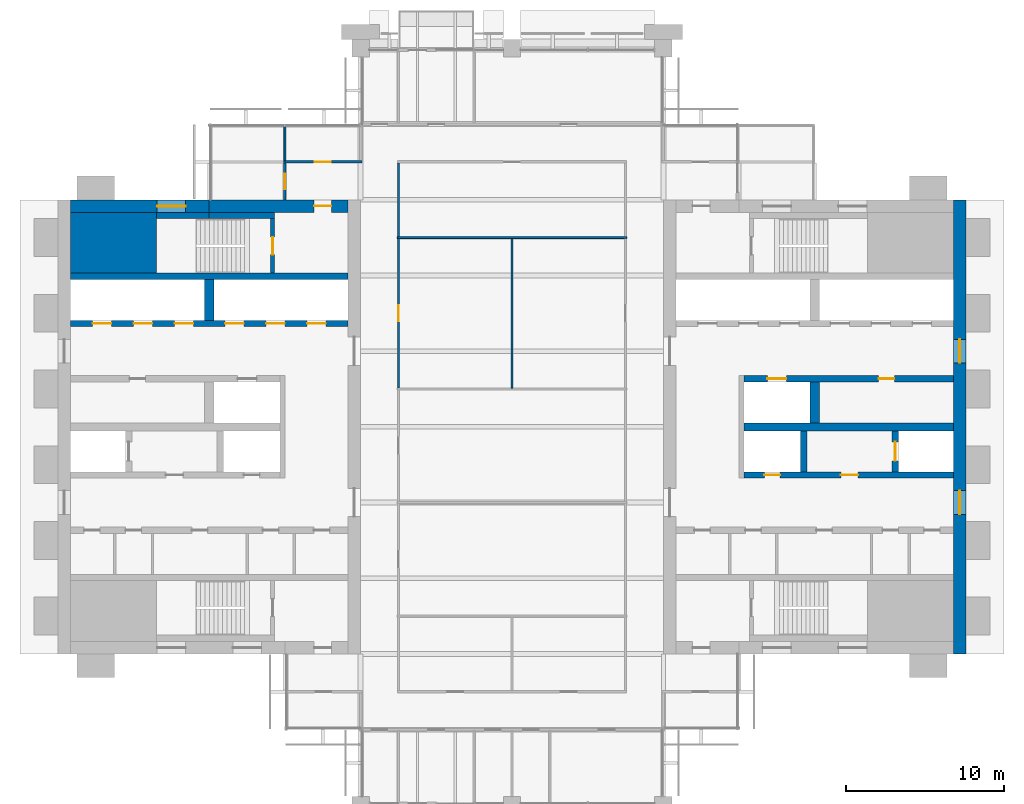
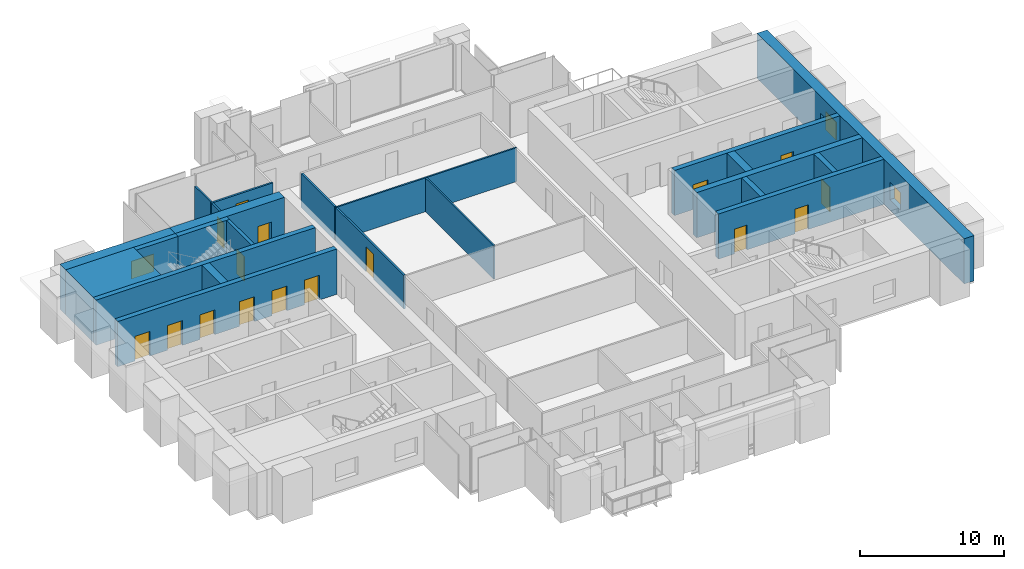
# One storey, part 10 of 14: 23 walls, 16 doors, 3 windows, 19 openings.
"""IFC4 building model written with IfcOpenShell, lengths in metres."""

from ifc_helpers import new_model, si_unit, direction, frame, frame_2d, origin, place, context, subcontext, project, spatial, rectangle, extrude, material, layer, layer_set, type_object, element, fill, save


model = new_model("IFC4")

# Units and contexts
model_context = context("Model", 3, precision=1e-05, world=origin(), true_north=direction((0.0, 1.0)))
body_context = subcontext(model_context, "Body", "Model", "MODEL_VIEW")
ifc_project = project(units=[si_unit("LENGTHUNIT", "METRE"), si_unit("AREAUNIT", "SQUARE_METRE"), si_unit("VOLUMEUNIT", "CUBIC_METRE"), si_unit("PLANEANGLEUNIT", "RADIAN"), si_unit("MASSUNIT", "GRAM", prefix="KILO")], contexts=[model_context])

# Site, building, storey
site_placement = place(None, origin())
site = spatial("IfcSite", under=ifc_project, at=site_placement, CompositionType="ELEMENT")
building_placement = place(site_placement, origin())
building = spatial("IfcBuilding", under=site, at=building_placement, Name="Baori Bourse Tower", CompositionType="ELEMENT")
storey_placement = place(building_placement, frame((0.0, 0.0, 257.199951171875)))
storey = spatial("IfcBuildingStorey", under=building, at=storey_placement, Name="L57", CompositionType="ELEMENT", Elevation=257.199951171875)

# Wall
ifc_material_1 = material(Name="Concrete f'c 50 MPa", Category="concrete")
wall_type_1 = type_object("IfcWallType", Name="Core corner block f'c 50", PredefinedType="SHEAR", material=ifc_material_1)
wall_1_placement = place(storey_placement, frame((0.800048828125, 35.675048828125, 0.0), z_axis=(0.0, 0.0, 1.0), x_axis=(1.0, 0.0, 0.0)))
element("IfcWall", 1, at=wall_1_placement, inside=storey, type_object=wall_type_1, Name="Core wall W24", PredefinedType="SHEAR", context=body_context, shape_type="SweptSolid", body=[
    extrude(rectangle(XDim=5.449951171875, YDim=3.85009765625, at=frame_2d((2.72509765625, 0.0))), origin(), (0.0, 0.0, 1.0), 3.840087890625),
])

# Wall, opening, window
ifc_material_2 = material(Name="Concrete f'c 50 MPa", Category="concrete")
ifc_layer_1 = layer(ifc_material_2, 0.800048828125)
ifc_layer_set_1 = layer_set([ifc_layer_1], Name="Core wall 800 f'c 50")
wall_type_2 = type_object("IfcWallType", Name="Core wall 800 f'c 50", PredefinedType="SHEAR", material=ifc_layer_set_1)
wall_2_placement = place(storey_placement, frame((0.800048828125, 38.0, 0.0), z_axis=(0.0, 0.0, 1.0), x_axis=(1.0, 0.0, 0.0)))
wall_2 = element("IfcWall", 2, at=wall_2_placement, inside=storey, type_object=wall_type_2, Name="Core wall W28", PredefinedType="SHEAR", context=body_context, shape_type="SweptSolid", body=[
    extrude(rectangle(XDim=8.800048828125, YDim=0.800048828125, at=frame_2d((4.39990234375, 0.0))), origin(), (0.0, 0.0, 1.0), 3.840087890625),
])
opening_1_placement = place(wall_2_placement, frame((5.5, 0.0, 0.89990234375)))
opening_1 = element("IfcOpeningElement", 3, at=opening_1_placement, cuts=wall_2, Name="Opening L57-KW105", PredefinedType="OPENING", context=body_context, shape_type="SweptSolid", body=[
    extrude(rectangle(XDim=1.800048828125, YDim=1.5, at=frame_2d((0.89990234375, 0.75))), frame((0.0, 0.409912109375, 0.0), z_axis=(0.0, -1.0, 0.0), x_axis=(1.0, 0.0, 0.0)), (0.0, 0.0, 1.0), 0.820068359375),
])
ifc_material_3 = material(Name="Pale anodised aluminium", Category="aluminium")
window_type_1 = type_object("IfcWindowType", Name="Stair window 1800 x 1500", PartitioningType="SINGLE_PANEL", PredefinedType="WINDOW", material=ifc_material_3)
window_1_placement = place(opening_1_placement, origin())
window_1 = element("IfcWindow", 4, at=window_1_placement, inside=storey, type_object=window_type_1, Name="Stair window W L57 5", OverallHeight=1.5, OverallWidth=1.800048828125, PartitioningType="SINGLE_PANEL", PredefinedType="WINDOW", context=body_context, shape_type="SweptSolid", body=[
    extrude(rectangle(XDim=1.800048828125, YDim=1.5, at=frame_2d((0.89990234375, 0.75))), frame((0.0, 0.030029296875, 0.0), z_axis=(0.0, -1.0, 0.0), x_axis=(1.0, 0.0, 0.0)), (0.0, 0.0, 1.0), 0.06005859375),
])
fill(opening_1, window_1)

# Wall, opening, door
wall_3_placement = place(storey_placement, frame((9.60009765625, 38.0, 0.0), z_axis=(0.0, 0.0, 1.0), x_axis=(1.0, 0.0, 0.0)))
wall_3 = element("IfcWall", 5, at=wall_3_placement, inside=storey, type_object=wall_type_2, Name="Core wall W29", PredefinedType="SHEAR", context=body_context, shape_type="SweptSolid", body=[
    extrude(rectangle(XDim=8.7998046875, YDim=0.800048828125, at=frame_2d((4.39990234375, 0.0))), origin(), (0.0, 0.0, 1.0), 3.840087890625),
])
opening_2_placement = place(wall_3_placement, frame((6.64990234375, 0.0, 0.0)))
opening_2 = element("IfcOpeningElement", 6, at=opening_2_placement, cuts=wall_3, Name="Opening L57-D104", PredefinedType="OPENING", context=body_context, shape_type="SweptSolid", body=[
    extrude(rectangle(XDim=1.10009765625, YDim=2.10009765625, at=frame_2d((0.550048828125, 1.050048828125))), frame((0.0, 0.409912109375, 0.0), z_axis=(0.0, -1.0, 0.0), x_axis=(1.0, 0.0, 0.0)), (0.0, 0.0, 1.0), 0.820068359375),
])
ifc_material_4 = material(Name="Painted steel door", Category="steel")
door_type_1 = type_object("IfcDoorType", Name="Stair door 1100", OperationType="SINGLE_SWING_LEFT", PredefinedType="DOOR", material=ifc_material_4)
door_1_placement = place(opening_2_placement, origin())
door_1 = element("IfcDoor", 7, at=door_1_placement, inside=storey, type_object=door_type_1, Name="Stair vestibule door B W L57", OperationType="SINGLE_SWING_LEFT", OverallHeight=2.10009765625, OverallWidth=1.10009765625, PredefinedType="DOOR", context=body_context, shape_type="SweptSolid", body=[
    extrude(rectangle(XDim=1.10009765625, YDim=2.10009765625, at=frame_2d((0.550048828125, 1.050048828125))), frame((0.0, 0.02490234375, 0.0), z_axis=(0.0, -1.0, 0.0), x_axis=(1.0, 0.0, 0.0)), (0.0, 0.0, 1.0), 0.050048828125),
])
fill(opening_2, door_1)

# Wall, openings, windows
wall_4_placement = place(storey_placement, frame((57.199951171875, 38.39990234375, 0.0), z_axis=(0.0, 0.0, 1.0), x_axis=(0.0, -1.0, 0.0)))
wall_4 = element("IfcWall", 8, at=wall_4_placement, inside=storey, type_object=wall_type_2, Name="Core wall E01", PredefinedType="SHEAR", context=body_context, shape_type="SweptSolid", body=[
    extrude(rectangle(XDim=28.7998046875, YDim=0.800048828125, at=frame_2d((14.39990234375, 0.0))), origin(), (0.0, 0.0, 1.0), 3.840087890625),
])
opening_3_placement = place(wall_4_placement, frame((18.449951171875, 0.0, 0.89990234375)))
opening_3 = element("IfcOpeningElement", 9, at=opening_3_placement, cuts=wall_4, Name="Opening L57-KW201", PredefinedType="OPENING", context=body_context, shape_type="SweptSolid", body=[
    extrude(rectangle(XDim=1.5, YDim=1.5, at=frame_2d((0.75, 0.75))), frame((0.0, 0.409912109375, 0.0), z_axis=(0.0, -1.0, 0.0), x_axis=(1.0, 0.0, 0.0)), (0.0, 0.0, 1.0), 0.820068359375),
])
opening_4_placement = place(wall_4_placement, frame((8.85009765625, 0.0, 0.89990234375)))
opening_4 = element("IfcOpeningElement", 10, at=opening_4_placement, cuts=wall_4, Name="Opening L57-KW202", PredefinedType="OPENING", context=body_context, shape_type="SweptSolid", body=[
    extrude(rectangle(XDim=1.5, YDim=1.5, at=frame_2d((0.75, 0.75))), frame((0.0, 0.409912109375, 0.0), z_axis=(0.0, -1.0, 0.0), x_axis=(1.0, 0.0, 0.0)), (0.0, 0.0, 1.0), 0.820068359375),
])
ifc_material_5 = material(Name="Pale anodised aluminium", Category="aluminium")
window_type_2 = type_object("IfcWindowType", Name="Lobby window 1500 x 1500", PartitioningType="SINGLE_PANEL", PredefinedType="WINDOW", material=ifc_material_5)
window_2_placement = place(opening_3_placement, origin())
window_2 = element("IfcWindow", 11, at=window_2_placement, inside=storey, type_object=window_type_2, Name="Outer wall window E L57 1", OverallHeight=1.5, OverallWidth=1.5, PartitioningType="SINGLE_PANEL", PredefinedType="WINDOW", context=body_context, shape_type="SweptSolid", body=[
    extrude(rectangle(XDim=1.5, YDim=1.5, at=frame_2d((0.75, 0.75))), frame((0.0, 0.030029296875, 0.0), z_axis=(0.0, -1.0, 0.0), x_axis=(1.0, 0.0, 0.0)), (0.0, 0.0, 1.0), 0.06005859375),
])
fill(opening_3, window_2)
window_3_placement = place(opening_4_placement, origin())
window_3 = element("IfcWindow", 12, at=window_3_placement, inside=storey, type_object=window_type_2, Name="Outer wall window E L57 2", OverallHeight=1.5, OverallWidth=1.5, PartitioningType="SINGLE_PANEL", PredefinedType="WINDOW", context=body_context, shape_type="SweptSolid", body=[
    extrude(rectangle(XDim=1.5, YDim=1.5, at=frame_2d((0.75, 0.75))), frame((0.0, 0.030029296875, 0.0), z_axis=(0.0, -1.0, 0.0), x_axis=(1.0, 0.0, 0.0)), (0.0, 0.0, 1.0), 0.06005859375),
])
fill(opening_4, window_3)

# Wall, opening, door
ifc_material_6 = material(Name="Gypsum board partition")
ifc_layer_2 = layer(ifc_material_6, 0.14990234375)
ifc_layer_set_2 = layer_set([ifc_layer_2], Name="Corridor partition 150")
wall_type_3 = type_object("IfcWallType", Name="Corridor partition 150", PredefinedType="PARTITIONING", material=ifc_layer_set_2)
wall_5_placement = place(storey_placement, frame((14.324951171875, 40.800048828125, 0.0), z_axis=(0.0, 0.0, 1.0), x_axis=(1.0, 0.0, 0.0)))
wall_5 = element("IfcWall", 13, at=wall_5_placement, inside=storey, type_object=wall_type_3, Name="Partition", PredefinedType="PARTITIONING", context=body_context, shape_type="SweptSolid", body=[
    extrude(rectangle(XDim=4.949951171875, YDim=0.14990234375, at=frame_2d((2.47509765625, 0.0))), origin(), (0.0, 0.0, 1.0), 2.869873046875),
])
opening_5_placement = place(wall_5_placement, frame((1.97509765625, 0.0, 0.0)))
opening_5 = element("IfcOpeningElement", 14, at=opening_5_placement, cuts=wall_5, Name="Opening L57-D10", PredefinedType="OPENING", context=body_context, shape_type="SweptSolid", body=[
    extrude(rectangle(XDim=1.0, YDim=2.10009765625, at=frame_2d((0.5, 1.050048828125))), frame((0.0, 0.0849609375, 0.0), z_axis=(0.0, -1.0, 0.0), x_axis=(1.0, 0.0, 0.0)), (0.0, 0.0, 1.0), 0.169921875),
])
ifc_material_7 = material(Name="Timber door leaf", Category="wood")
door_type_2 = type_object("IfcDoorType", Name="Door 1000 x 2100", OperationType="SINGLE_SWING_LEFT", PredefinedType="DOOR", material=ifc_material_7)
door_2_placement = place(opening_5_placement, origin())
door_2 = element("IfcDoor", 15, at=door_2_placement, inside=storey, type_object=door_type_2, Name="Door", OperationType="SINGLE_SWING_LEFT", OverallHeight=2.10009765625, OverallWidth=1.0, PredefinedType="DOOR", context=body_context, shape_type="SweptSolid", body=[
    extrude(rectangle(XDim=1.0, YDim=2.10009765625, at=frame_2d((0.5, 1.050048828125))), frame((0.0, 0.02490234375, 0.0), z_axis=(0.0, -1.0, 0.0), x_axis=(1.0, 0.0, 0.0)), (0.0, 0.0, 1.0), 0.050048828125),
])
fill(opening_5, door_2)

wall_6_placement = place(storey_placement, frame((14.39990234375, 38.39990234375, 0.0), z_axis=(0.0, 0.0, 1.0), x_axis=(0.0, 1.0, 0.0)))
wall_6 = element("IfcWall", 16, at=wall_6_placement, inside=storey, type_object=wall_type_3, Name="Partition", PredefinedType="PARTITIONING", context=body_context, shape_type="SweptSolid", body=[
    extrude(rectangle(XDim=2.3251953125, YDim=0.14990234375, at=frame_2d((1.16259765625, 0.0))), origin(), (0.0, 0.0, 1.0), 2.869873046875),
])
opening_6_placement = place(wall_6_placement, frame((0.66259765625, 0.0, 0.0)))
opening_6 = element("IfcOpeningElement", 17, at=opening_6_placement, cuts=wall_6, Name="Opening L57-D16", PredefinedType="OPENING", context=body_context, shape_type="SweptSolid", body=[
    extrude(rectangle(XDim=1.0, YDim=2.10009765625, at=frame_2d((0.5, 1.050048828125))), frame((0.0, 0.0849609375, 0.0), z_axis=(0.0, -1.0, 0.0), x_axis=(1.0, 0.0, 0.0)), (0.0, 0.0, 1.0), 0.169921875),
])
door_3_placement = place(opening_6_placement, origin())
door_3 = element("IfcDoor", 18, at=door_3_placement, inside=storey, type_object=door_type_2, Name="Door", OperationType="SINGLE_SWING_RIGHT", OverallHeight=2.10009765625, OverallWidth=1.0, PredefinedType="DOOR", context=body_context, shape_type="SweptSolid", body=[
    extrude(rectangle(XDim=1.0, YDim=2.10009765625, at=frame_2d((0.5, 1.050048828125))), frame((0.0, 0.02490234375, 0.0), z_axis=(0.0, -1.0, 0.0), x_axis=(1.0, 0.0, 0.0)), (0.0, 0.0, 1.0), 0.050048828125),
])
fill(opening_6, door_3)

wall_7_placement = place(storey_placement, frame((21.60009765625, 26.46240234375, 0.0), z_axis=(0.0, 0.0, 1.0), x_axis=(0.0, 1.0, 0.0)))
wall_7 = element("IfcWall", 19, at=wall_7_placement, inside=storey, type_object=wall_type_3, Name="Partition", PredefinedType="PARTITIONING", context=body_context, shape_type="SweptSolid", body=[
    extrude(rectangle(XDim=9.47509765625, YDim=0.14990234375, at=frame_2d((4.737548828125, 0.0))), origin(), (0.0, 0.0, 1.0), 2.869873046875),
])
opening_7_placement = place(wall_7_placement, frame((4.237548828125, 0.0, 0.0)))
opening_7 = element("IfcOpeningElement", 20, at=opening_7_placement, cuts=wall_7, Name="Opening L57-D19", PredefinedType="OPENING", context=body_context, shape_type="SweptSolid", body=[
    extrude(rectangle(XDim=1.0, YDim=2.10009765625, at=frame_2d((0.5, 1.050048828125))), frame((0.0, 0.0849609375, 0.0), z_axis=(0.0, -1.0, 0.0), x_axis=(1.0, 0.0, 0.0)), (0.0, 0.0, 1.0), 0.169921875),
])
door_4_placement = place(opening_7_placement, origin())
door_4 = element("IfcDoor", 21, at=door_4_placement, inside=storey, type_object=door_type_2, Name="Door", OperationType="SINGLE_SWING_LEFT", OverallHeight=2.10009765625, OverallWidth=1.0, PredefinedType="DOOR", context=body_context, shape_type="SweptSolid", body=[
    extrude(rectangle(XDim=1.0, YDim=2.10009765625, at=frame_2d((0.5, 1.050048828125))), frame((0.0, 0.02490234375, 0.0), z_axis=(0.0, -1.0, 0.0), x_axis=(1.0, 0.0, 0.0)), (0.0, 0.0, 1.0), 0.050048828125),
])
fill(opening_7, door_4)

# Walls
wall_8_placement = place(storey_placement, frame((21.60009765625, 36.0625, 0.0), z_axis=(0.0, 0.0, 1.0), x_axis=(0.0, 1.0, 0.0)))
element("IfcWall", 22, at=wall_8_placement, inside=storey, type_object=wall_type_3, Name="Partition", PredefinedType="PARTITIONING", context=body_context, shape_type="SweptSolid", body=[
    extrude(rectangle(XDim=4.66259765625, YDim=0.14990234375, at=frame_2d((2.331298828125, 0.0))), origin(), (0.0, 0.0, 1.0), 2.869873046875),
])
ifc_material_8 = material(Name="Gypsum board partition")
ifc_layer_3 = layer(ifc_material_8, 0.125)
ifc_layer_set_3 = layer_set([ifc_layer_3], Name="Partition 125")
wall_type_4 = type_object("IfcWallType", Name="Partition 125", PredefinedType="PARTITIONING", material=ifc_layer_set_3)
wall_9_placement = place(storey_placement, frame((21.52490234375, 36.0, 0.0), z_axis=(0.0, 0.0, 1.0), x_axis=(1.0, 0.0, 0.0)))
element("IfcWall", 23, at=wall_9_placement, inside=storey, type_object=wall_type_4, Name="Partition", PredefinedType="PARTITIONING", context=body_context, shape_type="SweptSolid", body=[
    extrude(rectangle(XDim=14.550048828125, YDim=0.125, at=frame_2d((7.27490234375, 0.0))), origin(), (0.0, 0.0, 1.0), 2.869873046875),
])
wall_10_placement = place(storey_placement, frame((14.39990234375, 40.875, 0.0), z_axis=(0.0, 0.0, 1.0), x_axis=(0.0, 1.0, 0.0)))
element("IfcWall", 24, at=wall_10_placement, inside=storey, type_object=wall_type_4, Name="Partition", PredefinedType="PARTITIONING", context=body_context, shape_type="SweptSolid", body=[
    extrude(rectangle(XDim=2.22509765625, YDim=0.125, at=frame_2d((1.112548828125, 0.0))), origin(), (0.0, 0.0, 1.0), 2.869873046875),
])
wall_11_placement = place(storey_placement, frame((28.800048828125, 26.46240234375, 0.0), z_axis=(0.0, 0.0, 1.0), x_axis=(0.0, 1.0, 0.0)))
element("IfcWall", 25, at=wall_11_placement, inside=storey, type_object=wall_type_4, Name="Partition", PredefinedType="PARTITIONING", context=body_context, shape_type="SweptSolid", body=[
    extrude(rectangle(XDim=9.47509765625, YDim=0.125, at=frame_2d((4.737548828125, 0.0))), origin(), (0.0, 0.0, 1.0), 2.869873046875),
])

# Wall, opening, door
ifc_material_9 = material(Name="Concrete f'c 50 MPa", Category="concrete")
ifc_layer_4 = layer(ifc_material_9, 0.25)
ifc_layer_set_4 = layer_set([ifc_layer_4], Name="Shaft wall 250 f'c 50")
wall_type_5 = type_object("IfcWallType", Name="Shaft wall 250 f'c 50", PredefinedType="SHEAR", material=ifc_layer_set_4)
wall_12_placement = place(storey_placement, frame((13.625, 33.75, 0.0), z_axis=(0.0, 0.0, 1.0), x_axis=(0.0, 1.0, 0.0)))
wall_12 = element("IfcWall", 26, at=wall_12_placement, inside=storey, type_object=wall_type_5, Name="Core wall W25", PredefinedType="SHEAR", context=body_context, shape_type="SweptSolid", body=[
    extrude(rectangle(XDim=3.449951171875, YDim=0.25, at=frame_2d((1.72509765625, 0.0))), origin(), (0.0, 0.0, 1.0), 3.840087890625),
])
opening_8_placement = place(wall_12_placement, frame((1.175048828125, 0.0, 0.0)))
opening_8 = element("IfcOpeningElement", 27, at=opening_8_placement, cuts=wall_12, Name="Opening L57-D103", PredefinedType="OPENING", context=body_context, shape_type="SweptSolid", body=[
    extrude(rectangle(XDim=1.10009765625, YDim=2.10009765625, at=frame_2d((0.550048828125, 1.050048828125))), frame((0.0, 0.135009765625, 0.0), z_axis=(0.0, -1.0, 0.0), x_axis=(1.0, 0.0, 0.0)), (0.0, 0.0, 1.0), 0.27001953125),
])
door_5_placement = place(opening_8_placement, origin())
door_5 = element("IfcDoor", 28, at=door_5_placement, inside=storey, type_object=door_type_1, Name="Stair door B W L57", OperationType="SINGLE_SWING_LEFT", OverallHeight=2.10009765625, OverallWidth=1.10009765625, PredefinedType="DOOR", context=body_context, shape_type="SweptSolid", body=[
    extrude(rectangle(XDim=1.10009765625, YDim=2.10009765625, at=frame_2d((0.550048828125, 1.050048828125))), frame((0.0, 0.02490234375, 0.0), z_axis=(0.0, -1.0, 0.0), x_axis=(1.0, 0.0, 0.0)), (0.0, 0.0, 1.0), 0.050048828125),
])
fill(opening_8, door_5)

# Wall, openings, doors
ifc_material_10 = material(Name="Concrete f'c 50 MPa", Category="concrete")
ifc_layer_5 = layer(ifc_material_10, 0.39990234375)
ifc_layer_set_5 = layer_set([ifc_layer_5], Name="Shaft wall 400 f'c 50")
wall_type_6 = type_object("IfcWallType", Name="Shaft wall 400 f'c 50", PredefinedType="SHEAR", material=ifc_layer_set_5)
wall_13_placement = place(storey_placement, frame((0.800048828125, 30.550048828125, 0.0), z_axis=(0.0, 0.0, 1.0), x_axis=(1.0, 0.0, 0.0)))
wall_13 = element("IfcWall", 29, at=wall_13_placement, inside=storey, type_object=wall_type_6, Name="Core wall W21", PredefinedType="SHEAR", context=body_context, shape_type="SweptSolid", body=[
    extrude(rectangle(XDim=17.599853515625, YDim=0.39990234375, at=frame_2d((8.7998046875, 0.0))), origin(), (0.0, 0.0, 1.0), 3.840087890625),
])
opening_9_placement = place(wall_13_placement, frame((1.39990234375, 0.0, 0.0)))
opening_9 = element("IfcOpeningElement", 30, at=opening_9_placement, cuts=wall_13, Name="Opening L57-D115", PredefinedType="OPENING", context=body_context, shape_type="SweptSolid", body=[
    extrude(rectangle(XDim=1.199951171875, YDim=2.10009765625, at=frame_2d((0.60009765625, 1.050048828125))), frame((0.0, 0.2099609375, 0.0), z_axis=(0.0, -1.0, 0.0), x_axis=(1.0, 0.0, 0.0)), (0.0, 0.0, 1.0), 0.419921875),
])
opening_10_placement = place(wall_13_placement, frame((4.0, 0.0, 0.0)))
opening_10 = element("IfcOpeningElement", 31, at=opening_10_placement, cuts=wall_13, Name="Opening L57-D116", PredefinedType="OPENING", context=body_context, shape_type="SweptSolid", body=[
    extrude(rectangle(XDim=1.199951171875, YDim=2.10009765625, at=frame_2d((0.60009765625, 1.050048828125))), frame((0.0, 0.2099609375, 0.0), z_axis=(0.0, -1.0, 0.0), x_axis=(1.0, 0.0, 0.0)), (0.0, 0.0, 1.0), 0.419921875),
])
opening_11_placement = place(wall_13_placement, frame((6.60009765625, 0.0, 0.0)))
opening_11 = element("IfcOpeningElement", 32, at=opening_11_placement, cuts=wall_13, Name="Opening L57-D117", PredefinedType="OPENING", context=body_context, shape_type="SweptSolid", body=[
    extrude(rectangle(XDim=1.199951171875, YDim=2.10009765625, at=frame_2d((0.60009765625, 1.050048828125))), frame((0.0, 0.2099609375, 0.0), z_axis=(0.0, -1.0, 0.0), x_axis=(1.0, 0.0, 0.0)), (0.0, 0.0, 1.0), 0.419921875),
])
opening_12_placement = place(wall_13_placement, frame((9.800048828125, 0.0, 0.0)))
opening_12 = element("IfcOpeningElement", 33, at=opening_12_placement, cuts=wall_13, Name="Opening L57-D118", PredefinedType="OPENING", context=body_context, shape_type="SweptSolid", body=[
    extrude(rectangle(XDim=1.199951171875, YDim=2.10009765625, at=frame_2d((0.60009765625, 1.050048828125))), frame((0.0, 0.2099609375, 0.0), z_axis=(0.0, -1.0, 0.0), x_axis=(1.0, 0.0, 0.0)), (0.0, 0.0, 1.0), 0.419921875),
])
opening_13_placement = place(wall_13_placement, frame((12.39990234375, 0.0, 0.0)))
opening_13 = element("IfcOpeningElement", 34, at=opening_13_placement, cuts=wall_13, Name="Opening L57-D119", PredefinedType="OPENING", context=body_context, shape_type="SweptSolid", body=[
    extrude(rectangle(XDim=1.199951171875, YDim=2.10009765625, at=frame_2d((0.60009765625, 1.050048828125))), frame((0.0, 0.2099609375, 0.0), z_axis=(0.0, -1.0, 0.0), x_axis=(1.0, 0.0, 0.0)), (0.0, 0.0, 1.0), 0.419921875),
])
opening_14_placement = place(wall_13_placement, frame((15.0, 0.0, 0.0)))
opening_14 = element("IfcOpeningElement", 35, at=opening_14_placement, cuts=wall_13, Name="Opening L57-D120", PredefinedType="OPENING", context=body_context, shape_type="SweptSolid", body=[
    extrude(rectangle(XDim=1.199951171875, YDim=2.10009765625, at=frame_2d((0.60009765625, 1.050048828125))), frame((0.0, 0.2099609375, 0.0), z_axis=(0.0, -1.0, 0.0), x_axis=(1.0, 0.0, 0.0)), (0.0, 0.0, 1.0), 0.419921875),
])
ifc_material_11 = material(Name="Stainless steel door", Category="steel")
door_type_3 = type_object("IfcDoorType", Name="Lift landing door", OperationType="DOUBLE_DOOR_SLIDING", PredefinedType="DOOR", material=ifc_material_11)
door_6_placement = place(opening_9_placement, origin())
door_6 = element("IfcDoor", 36, at=door_6_placement, inside=storey, type_object=door_type_3, Name="Lift landing door HR1 W L57", OperationType="DOUBLE_DOOR_SLIDING", OverallHeight=2.10009765625, OverallWidth=1.199951171875, PredefinedType="DOOR", context=body_context, shape_type="SweptSolid", body=[
    extrude(rectangle(XDim=1.199951171875, YDim=2.10009765625, at=frame_2d((0.60009765625, 1.050048828125))), frame((0.0, 0.02490234375, 0.0), z_axis=(0.0, -1.0, 0.0), x_axis=(1.0, 0.0, 0.0)), (0.0, 0.0, 1.0), 0.050048828125),
])
fill(opening_9, door_6)
door_7_placement = place(opening_10_placement, origin())
door_7 = element("IfcDoor", 37, at=door_7_placement, inside=storey, type_object=door_type_3, Name="Lift landing door HR2 W L57", OperationType="DOUBLE_DOOR_SLIDING", OverallHeight=2.10009765625, OverallWidth=1.199951171875, PredefinedType="DOOR", context=body_context, shape_type="SweptSolid", body=[
    extrude(rectangle(XDim=1.199951171875, YDim=2.10009765625, at=frame_2d((0.60009765625, 1.050048828125))), frame((0.0, 0.02490234375, 0.0), z_axis=(0.0, -1.0, 0.0), x_axis=(1.0, 0.0, 0.0)), (0.0, 0.0, 1.0), 0.050048828125),
])
fill(opening_10, door_7)
door_8_placement = place(opening_11_placement, origin())
door_8 = element("IfcDoor", 38, at=door_8_placement, inside=storey, type_object=door_type_3, Name="Lift landing door HR3 W L57", OperationType="DOUBLE_DOOR_SLIDING", OverallHeight=2.10009765625, OverallWidth=1.199951171875, PredefinedType="DOOR", context=body_context, shape_type="SweptSolid", body=[
    extrude(rectangle(XDim=1.199951171875, YDim=2.10009765625, at=frame_2d((0.60009765625, 1.050048828125))), frame((0.0, 0.02490234375, 0.0), z_axis=(0.0, -1.0, 0.0), x_axis=(1.0, 0.0, 0.0)), (0.0, 0.0, 1.0), 0.050048828125),
])
fill(opening_11, door_8)
door_9_placement = place(opening_12_placement, origin())
door_9 = element("IfcDoor", 39, at=door_9_placement, inside=storey, type_object=door_type_3, Name="Lift landing door HR4 W L57", OperationType="DOUBLE_DOOR_SLIDING", OverallHeight=2.10009765625, OverallWidth=1.199951171875, PredefinedType="DOOR", context=body_context, shape_type="SweptSolid", body=[
    extrude(rectangle(XDim=1.199951171875, YDim=2.10009765625, at=frame_2d((0.60009765625, 1.050048828125))), frame((0.0, 0.02490234375, 0.0), z_axis=(0.0, -1.0, 0.0), x_axis=(1.0, 0.0, 0.0)), (0.0, 0.0, 1.0), 0.050048828125),
])
fill(opening_12, door_9)
door_10_placement = place(opening_13_placement, origin())
door_10 = element("IfcDoor", 40, at=door_10_placement, inside=storey, type_object=door_type_3, Name="Lift landing door HR5 W L57", OperationType="DOUBLE_DOOR_SLIDING", OverallHeight=2.10009765625, OverallWidth=1.199951171875, PredefinedType="DOOR", context=body_context, shape_type="SweptSolid", body=[
    extrude(rectangle(XDim=1.199951171875, YDim=2.10009765625, at=frame_2d((0.60009765625, 1.050048828125))), frame((0.0, 0.02490234375, 0.0), z_axis=(0.0, -1.0, 0.0), x_axis=(1.0, 0.0, 0.0)), (0.0, 0.0, 1.0), 0.050048828125),
])
fill(opening_13, door_10)
door_11_placement = place(opening_14_placement, origin())
door_11 = element("IfcDoor", 41, at=door_11_placement, inside=storey, type_object=door_type_3, Name="Lift landing door HR6 W L57", OperationType="DOUBLE_DOOR_SLIDING", OverallHeight=2.10009765625, OverallWidth=1.199951171875, PredefinedType="DOOR", context=body_context, shape_type="SweptSolid", body=[
    extrude(rectangle(XDim=1.199951171875, YDim=2.10009765625, at=frame_2d((0.60009765625, 1.050048828125))), frame((0.0, 0.02490234375, 0.0), z_axis=(0.0, -1.0, 0.0), x_axis=(1.0, 0.0, 0.0)), (0.0, 0.0, 1.0), 0.050048828125),
])
fill(opening_14, door_11)

# Walls
wall_14_placement = place(storey_placement, frame((0.800048828125, 33.550048828125, 0.0), z_axis=(0.0, 0.0, 1.0), x_axis=(1.0, 0.0, 0.0)))
element("IfcWall", 42, at=wall_14_placement, inside=storey, type_object=wall_type_6, Name="Core wall W23", PredefinedType="SHEAR", context=body_context, shape_type="SweptSolid", body=[
    extrude(rectangle(XDim=17.599853515625, YDim=0.39990234375, at=frame_2d((8.7998046875, 0.0))), origin(), (0.0, 0.0, 1.0), 3.840087890625),
])
wall_15_placement = place(storey_placement, frame((6.25, 37.39990234375, 0.0), z_axis=(0.0, 0.0, 1.0), x_axis=(1.0, 0.0, 0.0)))
element("IfcWall", 43, at=wall_15_placement, inside=storey, type_object=wall_type_6, Name="Core wall W26", PredefinedType="SHEAR", context=body_context, shape_type="SweptSolid", body=[
    extrude(rectangle(XDim=3.35009765625, YDim=0.39990234375, at=frame_2d((1.675048828125, 0.0))), origin(), (0.0, 0.0, 1.0), 3.840087890625),
])
wall_16_placement = place(storey_placement, frame((9.60009765625, 37.39990234375, 0.0), z_axis=(0.0, 0.0, 1.0), x_axis=(1.0, 0.0, 0.0)))
element("IfcWall", 44, at=wall_16_placement, inside=storey, type_object=wall_type_6, Name="Core wall W27", PredefinedType="SHEAR", context=body_context, shape_type="SweptSolid", body=[
    extrude(rectangle(XDim=4.14990234375, YDim=0.39990234375, at=frame_2d((2.074951171875, 0.0))), origin(), (0.0, 0.0, 1.0), 3.840087890625),
])

# Wall, openings, doors
wall_17_placement = place(storey_placement, frame((43.5, 20.949951171875, 0.0), z_axis=(0.0, 0.0, 1.0), x_axis=(1.0, 0.0, 0.0)))
wall_17 = element("IfcWall", 45, at=wall_17_placement, inside=storey, type_object=wall_type_6, Name="Core wall E14", PredefinedType="SHEAR", context=body_context, shape_type="SweptSolid", body=[
    extrude(rectangle(XDim=13.300048828125, YDim=0.39990234375, at=frame_2d((6.64990234375, 0.0))), origin(), (0.0, 0.0, 1.0), 3.840087890625),
])
opening_15_placement = place(wall_17_placement, frame((6.14990234375, 0.0, 0.0)))
opening_15 = element("IfcOpeningElement", 46, at=opening_15_placement, cuts=wall_17, Name="Opening L57-D205", PredefinedType="OPENING", context=body_context, shape_type="SweptSolid", body=[
    extrude(rectangle(XDim=1.10009765625, YDim=2.10009765625, at=frame_2d((0.550048828125, 1.050048828125))), frame((0.0, 0.2099609375, 0.0), z_axis=(0.0, -1.0, 0.0), x_axis=(1.0, 0.0, 0.0)), (0.0, 0.0, 1.0), 0.419921875),
])
opening_16_placement = place(wall_17_placement, frame((1.300048828125, 0.0, 0.0)))
opening_16 = element("IfcOpeningElement", 47, at=opening_16_placement, cuts=wall_17, Name="Opening L57-D206", PredefinedType="OPENING", context=body_context, shape_type="SweptSolid", body=[
    extrude(rectangle(XDim=1.0, YDim=2.10009765625, at=frame_2d((0.5, 1.050048828125))), frame((0.0, 0.2099609375, 0.0), z_axis=(0.0, -1.0, 0.0), x_axis=(1.0, 0.0, 0.0)), (0.0, 0.0, 1.0), 0.419921875),
])
ifc_material_12 = material(Name="Painted steel door", Category="steel")
door_type_4 = type_object("IfcDoorType", Name="Lobby door 1100", OperationType="SINGLE_SWING_LEFT", PredefinedType="DOOR", material=ifc_material_12)
door_12_placement = place(opening_15_placement, origin())
door_12 = element("IfcDoor", 48, at=door_12_placement, inside=storey, type_object=door_type_4, Name="Firefighting lobby door E L57", OperationType="SINGLE_SWING_LEFT", OverallHeight=2.10009765625, OverallWidth=1.10009765625, PredefinedType="DOOR", context=body_context, shape_type="SweptSolid", body=[
    extrude(rectangle(XDim=1.10009765625, YDim=2.10009765625, at=frame_2d((0.550048828125, 1.050048828125))), frame((0.0, 0.02490234375, 0.0), z_axis=(0.0, -1.0, 0.0), x_axis=(1.0, 0.0, 0.0)), (0.0, 0.0, 1.0), 0.050048828125),
])
fill(opening_15, door_12)
ifc_material_13 = material(Name="Painted steel door", Category="steel")
door_type_5 = type_object("IfcDoorType", Name="Shaft door 1000", OperationType="SINGLE_SWING_LEFT", PredefinedType="DOOR", material=ifc_material_13)
door_13_placement = place(opening_16_placement, origin())
door_13 = element("IfcDoor", 49, at=door_13_placement, inside=storey, type_object=door_type_5, Name="Riser room door E L57", OperationType="SINGLE_SWING_LEFT", OverallHeight=2.10009765625, OverallWidth=1.0, PredefinedType="DOOR", context=body_context, shape_type="SweptSolid", body=[
    extrude(rectangle(XDim=1.0, YDim=2.10009765625, at=frame_2d((0.5, 1.050048828125))), frame((0.0, 0.02490234375, 0.0), z_axis=(0.0, -1.0, 0.0), x_axis=(1.0, 0.0, 0.0)), (0.0, 0.0, 1.0), 0.050048828125),
])
fill(opening_16, door_13)

# Wall, opening, door
wall_18_placement = place(storey_placement, frame((53.10009765625, 21.14990234375, 0.0), z_axis=(0.0, 0.0, 1.0), x_axis=(0.0, 1.0, 0.0)))
wall_18 = element("IfcWall", 50, at=wall_18_placement, inside=storey, type_object=wall_type_6, Name="Core wall E16", PredefinedType="SHEAR", context=body_context, shape_type="SweptSolid", body=[
    extrude(rectangle(XDim=2.60009765625, YDim=0.39990234375, at=frame_2d((1.300048828125, 0.0))), origin(), (0.0, 0.0, 1.0), 3.840087890625),
])
opening_17_placement = place(wall_18_placement, frame((0.699951171875, 0.0, 0.0)))
opening_17 = element("IfcOpeningElement", 51, at=opening_17_placement, cuts=wall_18, Name="Opening L57-D222", PredefinedType="OPENING", context=body_context, shape_type="SweptSolid", body=[
    extrude(rectangle(XDim=1.199951171875, YDim=2.10009765625, at=frame_2d((0.60009765625, 1.050048828125))), frame((0.0, 0.2099609375, 0.0), z_axis=(0.0, -1.0, 0.0), x_axis=(1.0, 0.0, 0.0)), (0.0, 0.0, 1.0), 0.419921875),
])
door_14_placement = place(opening_17_placement, origin())
door_14 = element("IfcDoor", 52, at=door_14_placement, inside=storey, type_object=door_type_3, Name="Lift landing door FF2 E L57", OperationType="DOUBLE_DOOR_SLIDING", OverallHeight=2.10009765625, OverallWidth=1.199951171875, PredefinedType="DOOR", context=body_context, shape_type="SweptSolid", body=[
    extrude(rectangle(XDim=1.199951171875, YDim=2.10009765625, at=frame_2d((0.60009765625, 1.050048828125))), frame((0.0, 0.02490234375, 0.0), z_axis=(0.0, -1.0, 0.0), x_axis=(1.0, 0.0, 0.0)), (0.0, 0.0, 1.0), 0.050048828125),
])
fill(opening_17, door_14)

# Wall
wall_19_placement = place(storey_placement, frame((47.300048828125, 21.14990234375, 0.0), z_axis=(0.0, 0.0, 1.0), x_axis=(0.0, 1.0, 0.0)))
element("IfcWall", 53, at=wall_19_placement, inside=storey, type_object=wall_type_6, Name="Core wall E17", PredefinedType="SHEAR", context=body_context, shape_type="SweptSolid", body=[
    extrude(rectangle(XDim=2.60009765625, YDim=0.39990234375, at=frame_2d((1.300048828125, 0.0))), origin(), (0.0, 0.0, 1.0), 3.840087890625),
])

# Wall, openings, doors
wall_20_placement = place(storey_placement, frame((43.5, 27.050048828125, 0.0), z_axis=(0.0, 0.0, 1.0), x_axis=(1.0, 0.0, 0.0)))
wall_20 = element("IfcWall", 54, at=wall_20_placement, inside=storey, type_object=wall_type_6, Name="Core wall E20", PredefinedType="SHEAR", context=body_context, shape_type="SweptSolid", body=[
    extrude(rectangle(XDim=13.300048828125, YDim=0.39990234375, at=frame_2d((6.64990234375, 0.0))), origin(), (0.0, 0.0, 1.0), 3.840087890625),
])
opening_18_placement = place(wall_20_placement, frame((8.550048828125, 0.0, 0.0)))
opening_18 = element("IfcOpeningElement", 55, at=opening_18_placement, cuts=wall_20, Name="Opening L57-D214", PredefinedType="OPENING", context=body_context, shape_type="SweptSolid", body=[
    extrude(rectangle(XDim=1.0, YDim=2.10009765625, at=frame_2d((0.5, 1.050048828125))), frame((0.0, 0.2099609375, 0.0), z_axis=(0.0, -1.0, 0.0), x_axis=(1.0, 0.0, 0.0)), (0.0, 0.0, 1.0), 0.419921875),
])
opening_19_placement = place(wall_20_placement, frame((1.5, 0.0, 0.0)))
opening_19 = element("IfcOpeningElement", 56, at=opening_19_placement, cuts=wall_20, Name="Opening L57-D221", PredefinedType="OPENING", context=body_context, shape_type="SweptSolid", body=[
    extrude(rectangle(XDim=1.199951171875, YDim=2.10009765625, at=frame_2d((0.60009765625, 1.050048828125))), frame((0.0, 0.2099609375, 0.0), z_axis=(0.0, -1.0, 0.0), x_axis=(1.0, 0.0, 0.0)), (0.0, 0.0, 1.0), 0.419921875),
])
ifc_material_14 = material(Name="Painted steel door", Category="steel")
door_type_6 = type_object("IfcDoorType", Name="Core door 1000", OperationType="SINGLE_SWING_LEFT", PredefinedType="DOOR", material=ifc_material_14)
door_15_placement = place(opening_18_placement, origin())
door_15 = element("IfcDoor", 57, at=door_15_placement, inside=storey, type_object=door_type_6, Name="Pantry door E L57", OperationType="SINGLE_SWING_LEFT", OverallHeight=2.10009765625, OverallWidth=1.0, PredefinedType="DOOR", context=body_context, shape_type="SweptSolid", body=[
    extrude(rectangle(XDim=1.0, YDim=2.10009765625, at=frame_2d((0.5, 1.050048828125))), frame((0.0, 0.02490234375, 0.0), z_axis=(0.0, -1.0, 0.0), x_axis=(1.0, 0.0, 0.0)), (0.0, 0.0, 1.0), 0.050048828125),
])
fill(opening_18, door_15)
door_16_placement = place(opening_19_placement, origin())
door_16 = element("IfcDoor", 58, at=door_16_placement, inside=storey, type_object=door_type_3, Name="Lift landing door SV1 E L57", OperationType="DOUBLE_DOOR_SLIDING", OverallHeight=2.10009765625, OverallWidth=1.199951171875, PredefinedType="DOOR", context=body_context, shape_type="SweptSolid", body=[
    extrude(rectangle(XDim=1.199951171875, YDim=2.10009765625, at=frame_2d((0.60009765625, 1.050048828125))), frame((0.0, 0.02490234375, 0.0), z_axis=(0.0, -1.0, 0.0), x_axis=(1.0, 0.0, 0.0)), (0.0, 0.0, 1.0), 0.050048828125),
])
fill(opening_19, door_16)

# Walls
ifc_material_15 = material(Name="Concrete f'c 50 MPa", Category="concrete")
ifc_layer_6 = layer(ifc_material_15, 0.5)
ifc_layer_set_6 = layer_set([ifc_layer_6], Name="Shaft wall 500 f'c 50")
wall_type_7 = type_object("IfcWallType", Name="Shaft wall 500 f'c 50", PredefinedType="SHEAR", material=ifc_layer_set_6)
wall_21_placement = place(storey_placement, frame((43.5, 24.0, 0.0), z_axis=(0.0, 0.0, 1.0), x_axis=(1.0, 0.0, 0.0)))
element("IfcWall", 59, at=wall_21_placement, inside=storey, type_object=wall_type_7, Name="Core wall E18", PredefinedType="SHEAR", context=body_context, shape_type="SweptSolid", body=[
    extrude(rectangle(XDim=13.300048828125, YDim=0.5, at=frame_2d((6.64990234375, 0.0))), origin(), (0.0, 0.0, 1.0), 3.840087890625),
])
ifc_material_16 = material(Name="Concrete f'c 50 MPa", Category="concrete")
ifc_layer_7 = layer(ifc_material_16, 0.60009765625)
ifc_layer_set_7 = layer_set([ifc_layer_7], Name="Shaft wall 600 f'c 50")
wall_type_8 = type_object("IfcWallType", Name="Shaft wall 600 f'c 50", PredefinedType="SHEAR", material=ifc_layer_set_7)
for number, where, z_axis, x_axis, name in (
    (60, (9.60009765625, 30.75, 0.0), (0.0, 0.0, 1.0), (0.0, 1.0, 0.0), "Core wall W22"),
    (61, (48.0, 24.25, 0.0), (0.0, 0.0, 1.0), (0.0, 1.0, 0.0), "Core wall E19"),
):
    element("IfcWall", number, at=place(storey_placement, frame(where, z_axis=z_axis, x_axis=x_axis)), inside=storey, type_object=wall_type_8, Name=name, PredefinedType="SHEAR", context=body_context, shape_type="SweptSolid", body=[
        extrude(rectangle(XDim=2.60009765625, YDim=0.60009765625, at=frame_2d((1.300048828125, 0.0))), origin(), (0.0, 0.0, 1.0), 3.840087890625),
    ])

save(model, "model.ifc")
